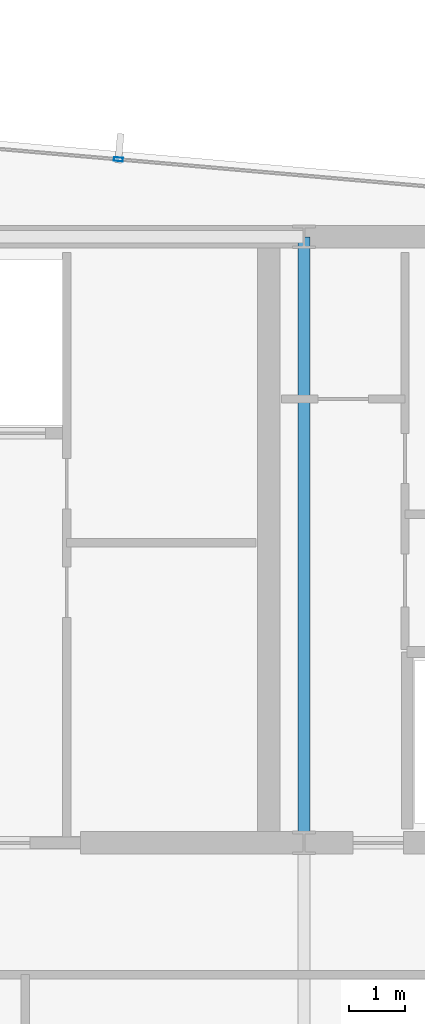
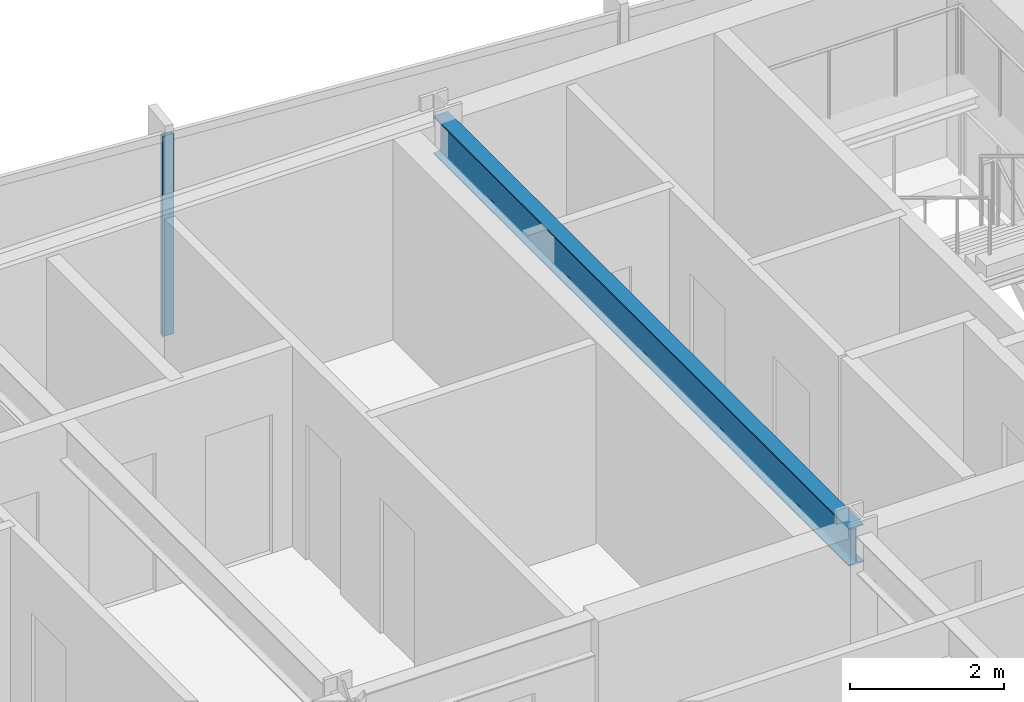
# One storey, part 19 of 33: 1 beam, 1 member, 1 element without a shape of its own.
"""IFC4 building model written with IfcOpenShell, lengths in metres."""

from ifc_helpers import new_model, si_unit, direction, frame, origin, origin_2d, place, context, subcontext, project, spatial, hollow_rectangle, i_section, extrude, material, material_profile, profile_set, type_object, element, aggregate, save


model = new_model("IFC4")

# Units and contexts
model_context = context("Model", 3, precision=1e-05, world=origin(), true_north=direction((0.0, 1.0)))
body_context = subcontext(model_context, "Body", "Model", "MODEL_VIEW")
ifc_project = project(units=[si_unit("LENGTHUNIT", "METRE"), si_unit("AREAUNIT", "SQUARE_METRE"), si_unit("VOLUMEUNIT", "CUBIC_METRE"), si_unit("PLANEANGLEUNIT", "RADIAN"), si_unit("MASSUNIT", "GRAM", prefix="KILO")], contexts=[model_context])

# Site, building, storey
site_placement = place(None, origin())
site = spatial("IfcSite", under=ifc_project, at=site_placement, CompositionType="ELEMENT")
building_placement = place(site_placement, origin())
building = spatial("IfcBuilding", under=site, at=building_placement, Name="Yelkora Congress Tower", CompositionType="ELEMENT")
storey_placement = place(building_placement, frame((0.0, 0.0, 286.300048828125)))
storey = spatial("IfcBuildingStorey", under=building, at=storey_placement, Name="L80", CompositionType="ELEMENT", Elevation=286.300048828125)

# Beam
ifc_material_1 = material(Name="Steel S355J2", Category="steel")
ifc_material_profile_1 = material_profile(ifc_material_1, i_section(OverallWidth=0.219970703125, OverallDepth=0.60009765625, WebThickness=0.011962890625, FlangeThickness=0.01904296875, FilletRadius=0.02392578125, at=origin_2d()), Name="IPE 600")
ifc_profile_set_1 = profile_set([ifc_material_profile_1], Name="Steel S355J2")
beam_type = type_object("IfcBeamType", Name="BM-GIRD-IPE600", PredefinedType="BEAM", material=ifc_profile_set_1)
beam_placement = place(storey_placement, frame((46.080078125, 35.39990234375, 2.8798828125), z_axis=(0.0, 1.0, 0.0), x_axis=(-1.0, 0.0, 0.0)))
element("IfcBeam", 1, at=beam_placement, inside=storey, type_object=beam_type, Name="L80 Core Tie Girder MC-S4", PredefinedType="BEAM", context=body_context, shape_type="SweptSolid", body=[
    extrude(i_section(OverallWidth=0.219970703125, OverallDepth=0.60009765625, WebThickness=0.011962890625, FlangeThickness=0.01904296875, FilletRadius=0.02392578125, at=origin_2d()), origin(), (0.0, 0.0, 1.0), 10.800048828125),
])

# Curtain wall, member
ifc_material_2 = material(Name="Anodised aluminium and insulated glass", Category="aluminium")
curtain_wall_type = type_object("IfcCurtainWallType", Name="CW-SYS-B5", PredefinedType="NOTDEFINED", material=ifc_material_2)
curtain_wall_placement = place(storey_placement, origin())
curtain_wall = element("IfcCurtainWall", 2, at=curtain_wall_placement, inside=storey, type_object=curtain_wall_type, Name="L80 Unitised Curtain Wall 10", PredefinedType="NOTDEFINED")
ifc_material_3 = material(Name="Anodised aluminium 6063-T6", Category="aluminium")
ifc_material_profile_2 = material_profile(ifc_material_3, hollow_rectangle(XDim=0.06494140625, YDim=0.159912109375, WallThickness=0.00390625, at=origin_2d()), Name="ALU 65x160x4")
ifc_profile_set_2 = profile_set([ifc_material_profile_2], Name="Anodised aluminium 6063-T6")
member_type = type_object("IfcMemberType", Name="MEM-ML-B5", PredefinedType="MULLION", material=ifc_profile_set_2)
member_placement = place(storey_placement, frame((42.77294921875, 47.58154296875, 0.0), z_axis=(0.0, 0.0, 1.0), x_axis=(0.087156639893, 0.996194619601, 0.0)))
member = element("IfcMember", 3, at=member_placement, type_object=member_type, Name="CW-B5 mullion 6", PredefinedType="MULLION", context=body_context, shape_type="SweptSolid", body=[
    extrude(hollow_rectangle(XDim=0.06494140625, YDim=0.159912109375, WallThickness=0.00390625, at=origin_2d()), origin(), (0.0, 0.0, 1.0), 3.179931640625),
])
aggregate(curtain_wall, [member])

save(model, "model.ifc")
